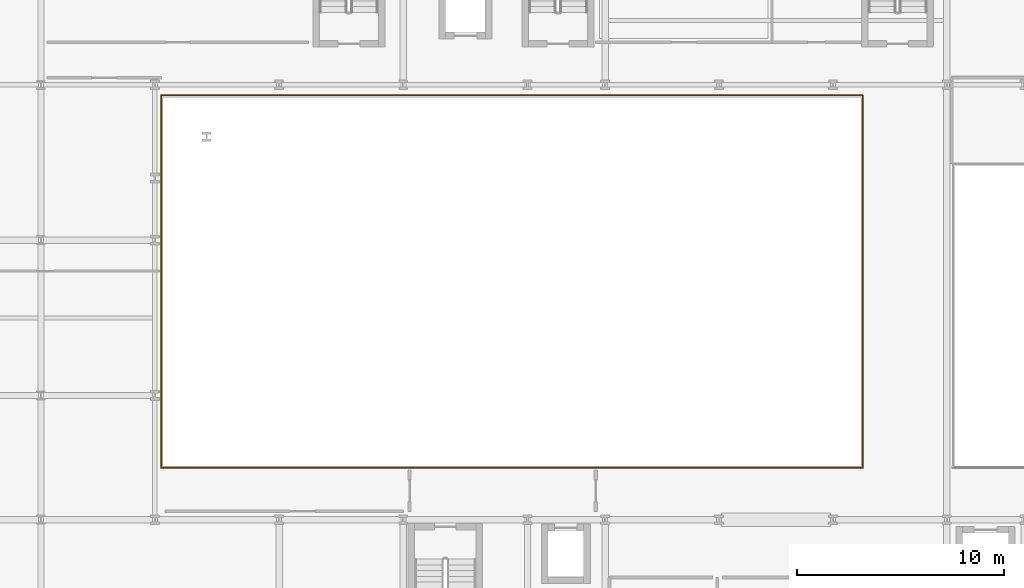
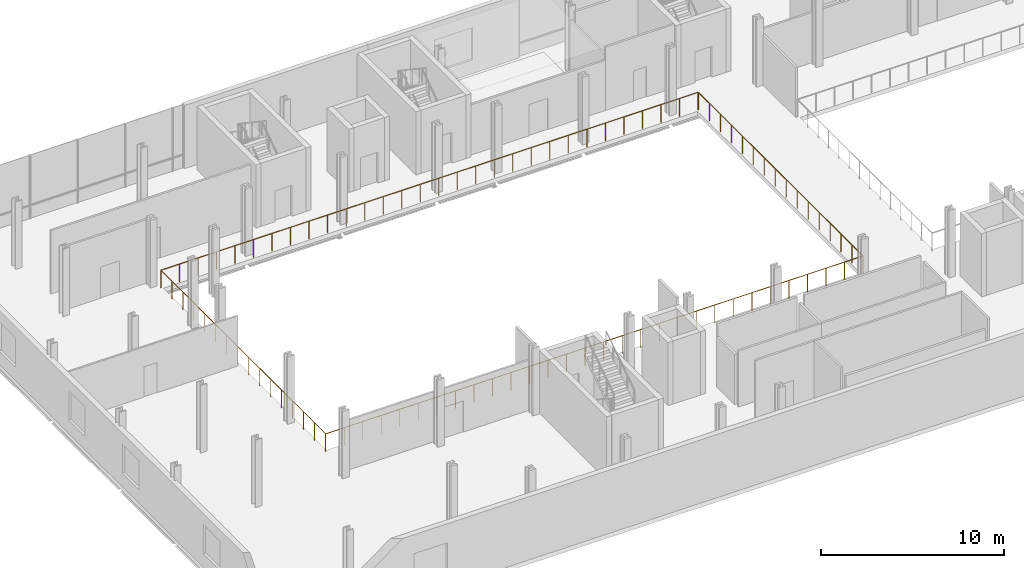
# One storey, part 22 of 25: 2 railings.
"""IFC4 building model written with IfcOpenShell, lengths in metres."""

from ifc_helpers import new_model, si_unit, direction, frame, origin, origin_2d, place, context, subcontext, project, spatial, circle, extrude, material, type_object, element, save


model = new_model("IFC4")

# Units and contexts
model_context = context("Model", 3, precision=1e-05, world=origin(), true_north=direction((0.0, 1.0)))
body_context = subcontext(model_context, "Body", "Model", "MODEL_VIEW")
ifc_project = project(units=[si_unit("LENGTHUNIT", "METRE"), si_unit("AREAUNIT", "SQUARE_METRE"), si_unit("VOLUMEUNIT", "CUBIC_METRE"), si_unit("PLANEANGLEUNIT", "RADIAN"), si_unit("MASSUNIT", "GRAM", prefix="KILO")], contexts=[model_context])

# Site, building, storey
site_placement = place(None, origin())
site = spatial("IfcSite", under=ifc_project, at=site_placement, CompositionType="ELEMENT")
building_placement = place(site_placement, origin())
building = spatial("IfcBuilding", under=site, at=building_placement, Name="Brevholm Reach", CompositionType="ELEMENT")
storey_placement = place(building_placement, frame((0.0, 0.0, 9.0)))
storey = spatial("IfcBuildingStorey", under=building, at=storey_placement, Name="L02", CompositionType="ELEMENT", Elevation=9.0)

# Railings
ifc_material = material(Name="Brushed Stainless Steel EN 1.4401 and Laminated Glass", Category="steel")
railing_type = type_object("IfcRailingType", Name="RAL-TERR-1200", PredefinedType="BALUSTRADE", material=ifc_material)
railing_1_placement = place(storey_placement, frame((0.300048828125, 12.5, 0.0)))
element("IfcRailing", 1, at=railing_1_placement, inside=storey, type_object=railing_type, Name="L02 Guard Balustrade RAL-L02-VOID-SH-SW", PredefinedType="BALUSTRADE", context=body_context, shape_type="SweptSolid", body=[
    extrude(circle(Radius=0.02392578125, at=origin_2d()), frame((0.0, 0.0, 1.17578125), z_axis=(1.0, 0.0, 0.0), x_axis=(0.0, 1.0, 0.0)), (0.0, 0.0, 1.0), 33.89990234375),
    extrude(circle(Radius=0.02392578125, at=origin_2d()), frame((33.89990234375, 0.0, 1.17578125), z_axis=(0.0, 1.0, 0.0), x_axis=(-1.0, 0.0, 0.0)), (0.0, 0.0, 1.0), 17.97998046875),
    extrude(circle(Radius=0.02099609375, at=origin_2d()), origin(), (0.0, 0.0, 1.0), 1.15185546875),
    extrude(circle(Radius=0.02099609375, at=origin_2d()), frame((1.1689453125, 0.0, 0.0)), (0.0, 0.0, 1.0), 1.15185546875),
    extrude(circle(Radius=0.02099609375, at=origin_2d()), frame((2.337890625, 0.0, 0.0)), (0.0, 0.0, 1.0), 1.15185546875),
    extrude(circle(Radius=0.02099609375, at=origin_2d()), frame((3.5068359375, 0.0, 0.0)), (0.0, 0.0, 1.0), 1.15185546875),
    extrude(circle(Radius=0.02099609375, at=origin_2d()), frame((4.67578125, 0.0, 0.0)), (0.0, 0.0, 1.0), 1.15185546875),
    extrude(circle(Radius=0.02099609375, at=origin_2d()), frame((5.8447265625, 0.0, 0.0)), (0.0, 0.0, 1.0), 1.15185546875),
    extrude(circle(Radius=0.02099609375, at=origin_2d()), frame((7.013671875, 0.0, 0.0)), (0.0, 0.0, 1.0), 1.15185546875),
    extrude(circle(Radius=0.02099609375, at=origin_2d()), frame((8.1826171875, 0.0, 0.0)), (0.0, 0.0, 1.0), 1.15185546875),
    extrude(circle(Radius=0.02099609375, at=origin_2d()), frame((9.351806640625, 0.0, 0.0)), (0.0, 0.0, 1.0), 1.15185546875),
    extrude(circle(Radius=0.02099609375, at=origin_2d()), frame((10.520751953125, 0.0, 0.0)), (0.0, 0.0, 1.0), 1.15185546875),
    extrude(circle(Radius=0.02099609375, at=origin_2d()), frame((11.689697265625, 0.0, 0.0)), (0.0, 0.0, 1.0), 1.15185546875),
    extrude(circle(Radius=0.02099609375, at=origin_2d()), frame((12.858642578125, 0.0, 0.0)), (0.0, 0.0, 1.0), 1.15185546875),
    extrude(circle(Radius=0.02099609375, at=origin_2d()), frame((14.027587890625, 0.0, 0.0)), (0.0, 0.0, 1.0), 1.15185546875),
    extrude(circle(Radius=0.02099609375, at=origin_2d()), frame((15.196533203125, 0.0, 0.0)), (0.0, 0.0, 1.0), 1.15185546875),
    extrude(circle(Radius=0.02099609375, at=origin_2d()), frame((16.365478515625, 0.0, 0.0)), (0.0, 0.0, 1.0), 1.15185546875),
    extrude(circle(Radius=0.02099609375, at=origin_2d()), frame((17.534423828125, 0.0, 0.0)), (0.0, 0.0, 1.0), 1.15185546875),
    extrude(circle(Radius=0.02099609375, at=origin_2d()), frame((18.703369140625, 0.0, 0.0)), (0.0, 0.0, 1.0), 1.15185546875),
    extrude(circle(Radius=0.02099609375, at=origin_2d()), frame((19.872314453125, 0.0, 0.0)), (0.0, 0.0, 1.0), 1.15185546875),
    extrude(circle(Radius=0.02099609375, at=origin_2d()), frame((21.041259765625, 0.0, 0.0)), (0.0, 0.0, 1.0), 1.15185546875),
    extrude(circle(Radius=0.02099609375, at=origin_2d()), frame((22.210205078125, 0.0, 0.0)), (0.0, 0.0, 1.0), 1.15185546875),
    extrude(circle(Radius=0.02099609375, at=origin_2d()), frame((23.379150390625, 0.0, 0.0)), (0.0, 0.0, 1.0), 1.15185546875),
    extrude(circle(Radius=0.02099609375, at=origin_2d()), frame((24.548095703125, 0.0, 0.0)), (0.0, 0.0, 1.0), 1.15185546875),
    extrude(circle(Radius=0.02099609375, at=origin_2d()), frame((25.71728515625, 0.0, 0.0)), (0.0, 0.0, 1.0), 1.15185546875),
    extrude(circle(Radius=0.02099609375, at=origin_2d()), frame((26.88623046875, 0.0, 0.0)), (0.0, 0.0, 1.0), 1.15185546875),
    extrude(circle(Radius=0.02099609375, at=origin_2d()), frame((28.05517578125, 0.0, 0.0)), (0.0, 0.0, 1.0), 1.15185546875),
    extrude(circle(Radius=0.02099609375, at=origin_2d()), frame((29.22412109375, 0.0, 0.0)), (0.0, 0.0, 1.0), 1.15185546875),
    extrude(circle(Radius=0.02099609375, at=origin_2d()), frame((30.39306640625, 0.0, 0.0)), (0.0, 0.0, 1.0), 1.15185546875),
    extrude(circle(Radius=0.02099609375, at=origin_2d()), frame((31.56201171875, 0.0, 0.0)), (0.0, 0.0, 1.0), 1.15185546875),
    extrude(circle(Radius=0.02099609375, at=origin_2d()), frame((32.73095703125, 0.0, 0.0)), (0.0, 0.0, 1.0), 1.15185546875),
    extrude(circle(Radius=0.02099609375, at=origin_2d()), frame((33.89990234375, 0.0, 0.0)), (0.0, 0.0, 1.0), 1.15185546875),
    extrude(circle(Radius=0.02099609375, at=origin_2d()), frame((33.89990234375, 1.19873046875, 0.0)), (0.0, 0.0, 1.0), 1.15185546875),
    extrude(circle(Radius=0.02099609375, at=origin_2d()), frame((33.89990234375, 2.397216796875, 0.0)), (0.0, 0.0, 1.0), 1.15185546875),
    extrude(circle(Radius=0.02099609375, at=origin_2d()), frame((33.89990234375, 3.595947265625, 0.0)), (0.0, 0.0, 1.0), 1.15185546875),
    extrude(circle(Radius=0.02099609375, at=origin_2d()), frame((33.89990234375, 4.794677734375, 0.0)), (0.0, 0.0, 1.0), 1.15185546875),
    extrude(circle(Radius=0.02099609375, at=origin_2d()), frame((33.89990234375, 5.993408203125, 0.0)), (0.0, 0.0, 1.0), 1.15185546875),
    extrude(circle(Radius=0.02099609375, at=origin_2d()), frame((33.89990234375, 7.19189453125, 0.0)), (0.0, 0.0, 1.0), 1.15185546875),
    extrude(circle(Radius=0.02099609375, at=origin_2d()), frame((33.89990234375, 8.390625, 0.0)), (0.0, 0.0, 1.0), 1.15185546875),
    extrude(circle(Radius=0.02099609375, at=origin_2d()), frame((33.89990234375, 9.58935546875, 0.0)), (0.0, 0.0, 1.0), 1.15185546875),
    extrude(circle(Radius=0.02099609375, at=origin_2d()), frame((33.89990234375, 10.7880859375, 0.0)), (0.0, 0.0, 1.0), 1.15185546875),
    extrude(circle(Radius=0.02099609375, at=origin_2d()), frame((33.89990234375, 11.986572265625, 0.0)), (0.0, 0.0, 1.0), 1.15185546875),
    extrude(circle(Radius=0.02099609375, at=origin_2d()), frame((33.89990234375, 13.185302734375, 0.0)), (0.0, 0.0, 1.0), 1.15185546875),
    extrude(circle(Radius=0.02099609375, at=origin_2d()), frame((33.89990234375, 14.384033203125, 0.0)), (0.0, 0.0, 1.0), 1.15185546875),
    extrude(circle(Radius=0.02099609375, at=origin_2d()), frame((33.89990234375, 15.582763671875, 0.0)), (0.0, 0.0, 1.0), 1.15185546875),
    extrude(circle(Radius=0.02099609375, at=origin_2d()), frame((33.89990234375, 16.78125, 0.0)), (0.0, 0.0, 1.0), 1.15185546875),
    extrude(circle(Radius=0.02099609375, at=origin_2d()), frame((33.89990234375, 17.97998046875, 0.0)), (0.0, 0.0, 1.0), 1.15185546875),
])
railing_2_placement = place(storey_placement, frame((34.179931640625, 30.5, 0.0)))
element("IfcRailing", 2, at=railing_2_placement, inside=storey, type_object=railing_type, Name="L02 Guard Balustrade RAL-L02-VOID-SH-NE", PredefinedType="BALUSTRADE", context=body_context, shape_type="SweptSolid", body=[
    extrude(circle(Radius=0.02392578125, at=origin_2d()), frame((0.0, 0.0, 1.17578125), z_axis=(-1.0, 0.0, 0.0), x_axis=(0.0, -1.0, 0.0)), (0.0, 0.0, 1.0), 33.8798828125),
    extrude(circle(Radius=0.02392578125, at=origin_2d()), frame((-33.8798828125, 0.0, 1.17578125), z_axis=(0.0, -1.0, 0.0), x_axis=(1.0, 0.0, 0.0)), (0.0, 0.0, 1.0), 17.97998046875),
    extrude(circle(Radius=0.02099609375, at=origin_2d()), origin(), (0.0, 0.0, 1.0), 1.15185546875),
    extrude(circle(Radius=0.02099609375, at=origin_2d()), frame((-1.168212890625, 0.0, 0.0)), (0.0, 0.0, 1.0), 1.15185546875),
    extrude(circle(Radius=0.02099609375, at=origin_2d()), frame((-2.33642578125, 0.0, 0.0)), (0.0, 0.0, 1.0), 1.15185546875),
    extrude(circle(Radius=0.02099609375, at=origin_2d()), frame((-3.5048828125, 0.0, 0.0)), (0.0, 0.0, 1.0), 1.15185546875),
    extrude(circle(Radius=0.02099609375, at=origin_2d()), frame((-4.673095703125, 0.0, 0.0)), (0.0, 0.0, 1.0), 1.15185546875),
    extrude(circle(Radius=0.02099609375, at=origin_2d()), frame((-5.84130859375, 0.0, 0.0)), (0.0, 0.0, 1.0), 1.15185546875),
    extrude(circle(Radius=0.02099609375, at=origin_2d()), frame((-7.009521484375, 0.0, 0.0)), (0.0, 0.0, 1.0), 1.15185546875),
    extrude(circle(Radius=0.02099609375, at=origin_2d()), frame((-8.177978515625, 0.0, 0.0)), (0.0, 0.0, 1.0), 1.15185546875),
    extrude(circle(Radius=0.02099609375, at=origin_2d()), frame((-9.34619140625, 0.0, 0.0)), (0.0, 0.0, 1.0), 1.15185546875),
    extrude(circle(Radius=0.02099609375, at=origin_2d()), frame((-10.514404296875, 0.0, 0.0)), (0.0, 0.0, 1.0), 1.15185546875),
    extrude(circle(Radius=0.02099609375, at=origin_2d()), frame((-11.6826171875, 0.0, 0.0)), (0.0, 0.0, 1.0), 1.15185546875),
    extrude(circle(Radius=0.02099609375, at=origin_2d()), frame((-12.85107421875, 0.0, 0.0)), (0.0, 0.0, 1.0), 1.15185546875),
    extrude(circle(Radius=0.02099609375, at=origin_2d()), frame((-14.019287109375, 0.0, 0.0)), (0.0, 0.0, 1.0), 1.15185546875),
    extrude(circle(Radius=0.02099609375, at=origin_2d()), frame((-15.1875, 0.0, 0.0)), (0.0, 0.0, 1.0), 1.15185546875),
    extrude(circle(Radius=0.02099609375, at=origin_2d()), frame((-16.355712890625, 0.0, 0.0)), (0.0, 0.0, 1.0), 1.15185546875),
    extrude(circle(Radius=0.02099609375, at=origin_2d()), frame((-17.524169921875, 0.0, 0.0)), (0.0, 0.0, 1.0), 1.15185546875),
    extrude(circle(Radius=0.02099609375, at=origin_2d()), frame((-18.6923828125, 0.0, 0.0)), (0.0, 0.0, 1.0), 1.15185546875),
    extrude(circle(Radius=0.02099609375, at=origin_2d()), frame((-19.860595703125, 0.0, 0.0)), (0.0, 0.0, 1.0), 1.15185546875),
    extrude(circle(Radius=0.02099609375, at=origin_2d()), frame((-21.02880859375, 0.0, 0.0)), (0.0, 0.0, 1.0), 1.15185546875),
    extrude(circle(Radius=0.02099609375, at=origin_2d()), frame((-22.197265625, 0.0, 0.0)), (0.0, 0.0, 1.0), 1.15185546875),
    extrude(circle(Radius=0.02099609375, at=origin_2d()), frame((-23.365478515625, 0.0, 0.0)), (0.0, 0.0, 1.0), 1.15185546875),
    extrude(circle(Radius=0.02099609375, at=origin_2d()), frame((-24.53369140625, 0.0, 0.0)), (0.0, 0.0, 1.0), 1.15185546875),
    extrude(circle(Radius=0.02099609375, at=origin_2d()), frame((-25.701904296875, 0.0, 0.0)), (0.0, 0.0, 1.0), 1.15185546875),
    extrude(circle(Radius=0.02099609375, at=origin_2d()), frame((-26.870361328125, 0.0, 0.0)), (0.0, 0.0, 1.0), 1.15185546875),
    extrude(circle(Radius=0.02099609375, at=origin_2d()), frame((-28.03857421875, 0.0, 0.0)), (0.0, 0.0, 1.0), 1.15185546875),
    extrude(circle(Radius=0.02099609375, at=origin_2d()), frame((-29.206787109375, 0.0, 0.0)), (0.0, 0.0, 1.0), 1.15185546875),
    extrude(circle(Radius=0.02099609375, at=origin_2d()), frame((-30.375, 0.0, 0.0)), (0.0, 0.0, 1.0), 1.15185546875),
    extrude(circle(Radius=0.02099609375, at=origin_2d()), frame((-31.54345703125, 0.0, 0.0)), (0.0, 0.0, 1.0), 1.15185546875),
    extrude(circle(Radius=0.02099609375, at=origin_2d()), frame((-32.711669921875, 0.0, 0.0)), (0.0, 0.0, 1.0), 1.15185546875),
    extrude(circle(Radius=0.02099609375, at=origin_2d()), frame((-33.8798828125, 0.0, 0.0)), (0.0, 0.0, 1.0), 1.15185546875),
    extrude(circle(Radius=0.02099609375, at=origin_2d()), frame((-33.8798828125, -1.19873046875, 0.0)), (0.0, 0.0, 1.0), 1.15185546875),
    extrude(circle(Radius=0.02099609375, at=origin_2d()), frame((-33.8798828125, -2.397216796875, 0.0)), (0.0, 0.0, 1.0), 1.15185546875),
    extrude(circle(Radius=0.02099609375, at=origin_2d()), frame((-33.8798828125, -3.595947265625, 0.0)), (0.0, 0.0, 1.0), 1.15185546875),
    extrude(circle(Radius=0.02099609375, at=origin_2d()), frame((-33.8798828125, -4.794677734375, 0.0)), (0.0, 0.0, 1.0), 1.15185546875),
    extrude(circle(Radius=0.02099609375, at=origin_2d()), frame((-33.8798828125, -5.993408203125, 0.0)), (0.0, 0.0, 1.0), 1.15185546875),
    extrude(circle(Radius=0.02099609375, at=origin_2d()), frame((-33.8798828125, -7.19189453125, 0.0)), (0.0, 0.0, 1.0), 1.15185546875),
    extrude(circle(Radius=0.02099609375, at=origin_2d()), frame((-33.8798828125, -8.390625, 0.0)), (0.0, 0.0, 1.0), 1.15185546875),
    extrude(circle(Radius=0.02099609375, at=origin_2d()), frame((-33.8798828125, -9.58935546875, 0.0)), (0.0, 0.0, 1.0), 1.15185546875),
    extrude(circle(Radius=0.02099609375, at=origin_2d()), frame((-33.8798828125, -10.7880859375, 0.0)), (0.0, 0.0, 1.0), 1.15185546875),
    extrude(circle(Radius=0.02099609375, at=origin_2d()), frame((-33.8798828125, -11.986572265625, 0.0)), (0.0, 0.0, 1.0), 1.15185546875),
    extrude(circle(Radius=0.02099609375, at=origin_2d()), frame((-33.8798828125, -13.185302734375, 0.0)), (0.0, 0.0, 1.0), 1.15185546875),
    extrude(circle(Radius=0.02099609375, at=origin_2d()), frame((-33.8798828125, -14.384033203125, 0.0)), (0.0, 0.0, 1.0), 1.15185546875),
    extrude(circle(Radius=0.02099609375, at=origin_2d()), frame((-33.8798828125, -15.582763671875, 0.0)), (0.0, 0.0, 1.0), 1.15185546875),
    extrude(circle(Radius=0.02099609375, at=origin_2d()), frame((-33.8798828125, -16.78125, 0.0)), (0.0, 0.0, 1.0), 1.15185546875),
    extrude(circle(Radius=0.02099609375, at=origin_2d()), frame((-33.8798828125, -17.97998046875, 0.0)), (0.0, 0.0, 1.0), 1.15185546875),
])

save(model, "model.ifc")
